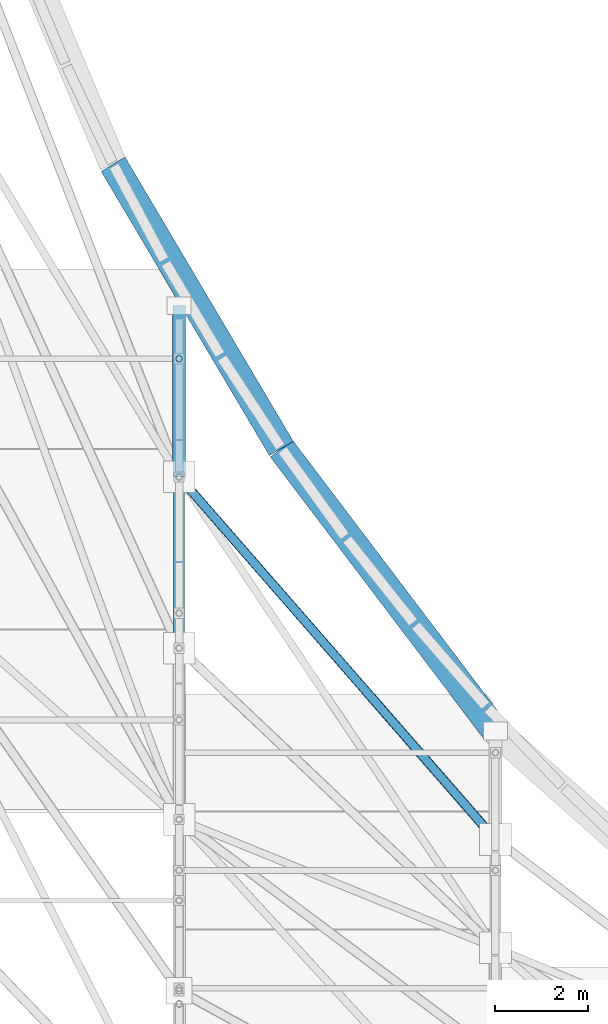
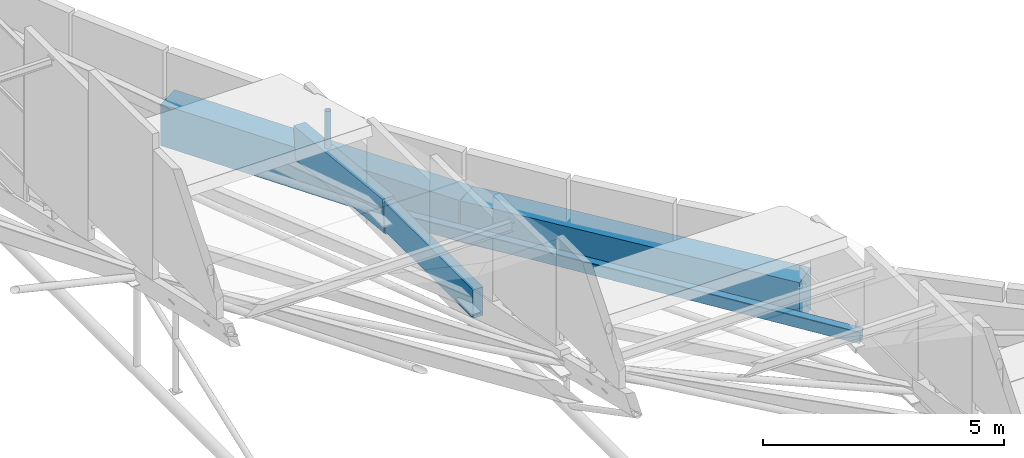
# One storey, part 36 of 188: 5 members, 2 beams.
"""IFC4 building model written with IfcOpenShell, lengths in metres."""

from ifc_helpers import new_model, si_unit, direction, frame, origin, origin_2d, place, context, subcontext, project, spatial, rectangle, hollow_rectangle, hollow_circle, extrude, material, material_profile, profile_set, type_object, element, save


model = new_model("IFC4")

# Units and contexts
model_context = context("Model", 3, precision=1e-05, world=origin(), true_north=direction((0.0, 1.0)))
body_context = subcontext(model_context, "Body", "Model", "MODEL_VIEW")
ifc_project = project(units=[si_unit("LENGTHUNIT", "METRE"), si_unit("AREAUNIT", "SQUARE_METRE"), si_unit("VOLUMEUNIT", "CUBIC_METRE"), si_unit("PLANEANGLEUNIT", "RADIAN"), si_unit("MASSUNIT", "GRAM", prefix="KILO")], contexts=[model_context])

# Site, building, storey
site_placement = place(None, origin())
site = spatial("IfcSite", under=ifc_project, at=site_placement, CompositionType="ELEMENT")
building_placement = place(site_placement, origin())
building = spatial("IfcBuilding", under=site, at=building_placement, Name="Kisaragi Civic Commons", CompositionType="ELEMENT")
storey_placement = place(building_placement, frame((0.0, 0.0, 9.60009765625)))
storey = spatial("IfcBuildingStorey", under=building, at=storey_placement, Name="L02", CompositionType="ELEMENT", Elevation=9.60009765625)

# Beams
ifc_material_1 = material(Name="Concrete Fc36", Category="concrete")
ifc_material_profile_1 = material_profile(ifc_material_1, rectangle(XDim=0.60009765625, YDim=1.050048828125, at=origin_2d()), Name="RC-600x1050", Category="concrete")
ifc_profile_set_1 = profile_set([ifc_material_profile_1], Name="Concrete Fc36")
beam_type = type_object("IfcBeamType", Name="G-06", PredefinedType="BEAM", material=ifc_profile_set_1)
beam_1_placement = place(storey_placement, frame((32.581787109375, 34.8505859375, -0.84521484375), z_axis=(0.509430030147, -0.860512082649, 0.0), x_axis=(0.860512082649, 0.509430030147, 0.0)))
element("IfcBeam", 1, at=beam_1_placement, inside=storey, type_object=beam_type, Name="L02 curved spandrel/ring girder G-06 252", PredefinedType="BEAM", context=body_context, shape_type="SweptSolid", body=[
    extrude(rectangle(XDim=0.60009765625, YDim=1.050048828125, at=origin_2d()), origin(), (0.0, 0.0, 1.0), 7.10009765625),
])
beam_2_placement = place(storey_placement, frame((36.19873046875, 28.740966796875, -0.84521484375), z_axis=(0.60390457291, -0.797056627109, 0.0), x_axis=(0.797056627109, 0.60390457291, 0.0)))
element("IfcBeam", 2, at=beam_2_placement, inside=storey, type_object=beam_type, Name="L02 curved spandrel/ring girder G-06 253", PredefinedType="BEAM", context=body_context, shape_type="SweptSolid", body=[
    extrude(rectangle(XDim=0.60009765625, YDim=1.050048828125, at=origin_2d()), origin(), (0.0, 0.0, 1.0), 7.619384765625),
])

# Members
ifc_material_2 = material(Name="Steel SN490 (SN490B)", Category="steel")
ifc_material_profile_2 = material_profile(ifc_material_2, hollow_rectangle(XDim=0.199951171875, YDim=0.300048828125, WallThickness=0.009033203125, InnerFilletRadius=0.009033203125, OuterFilletRadius=0.01806640625, at=origin_2d()), Name="STKR-300x200x9", Category="steel")
ifc_profile_set_2 = profile_set([ifc_material_profile_2], Name="Steel SN490 (SN490B)")
member_type_1 = type_object("IfcMemberType", Name="GC-02", PredefinedType="CHORD", material=ifc_profile_set_2)
member_1_placement = place(storey_placement, frame((34.0, 28.1298828125, 0.28662109375), z_axis=(0.655854996647, -0.751620704878, -0.070146556386), x_axis=(0.753476746875, 0.6574745561, 0.0)))
element("IfcMember", 3, at=member_1_placement, inside=storey, type_object=member_type_1, Name="V1 wave gridshell chord GC-02 42", PredefinedType="CHORD", context=body_context, shape_type="SweptSolid", body=[
    extrude(hollow_rectangle(XDim=0.199951171875, YDim=0.300048828125, WallThickness=0.009033203125, InnerFilletRadius=0.009033203125, OuterFilletRadius=0.01806640625, at=origin_2d()), origin(), (0.0, 0.0, 1.0), 10.3681640625),
])
ifc_material_3 = material(Name="Glulam E120-F330", Category="wood")
ifc_material_profile_3 = material_profile(ifc_material_3, rectangle(XDim=0.280029296875, YDim=0.81005859375, at=origin_2d()), Name="GL-280x810", Category="wood")
ifc_profile_set_3 = profile_set([ifc_material_profile_3], Name="Glulam E120-F330")
member_type_2 = type_object("IfcMemberType", Name="GR-01", PredefinedType="RAFTER", material=ifc_profile_set_3)
member_2_placement = place(storey_placement, frame((34.0, 28.1298828125, 0.28662109375), z_axis=(0.0, 0.995075664634, -0.09911822059), x_axis=(-1.0, 0.0, 0.0)))
element("IfcMember", 4, at=member_2_placement, inside=storey, type_object=member_type_2, Name="V1 glulam arch rib GR-01 48", PredefinedType="RAFTER", context=body_context, shape_type="SweptSolid", body=[
    extrude(rectangle(XDim=0.280029296875, YDim=0.81005859375, at=origin_2d()), origin(), (0.0, 0.0, 1.0), 3.69970703125),
])
ifc_material_profile_4 = material_profile(ifc_material_3, rectangle(XDim=0.239990234375, YDim=0.719970703125, at=origin_2d()), Name="GL-240x720", Category="wood")
ifc_profile_set_4 = profile_set([ifc_material_profile_4], Name="Glulam E120-F330")
member_type_3 = type_object("IfcMemberType", Name="GR-02", PredefinedType="RAFTER", material=ifc_profile_set_4)
member_3_placement = place(storey_placement, frame((34.0, 24.4482421875, 0.28662109375), z_axis=(0.0, 1.0, 0.0), x_axis=(-1.0, 0.0, 0.0)))
element("IfcMember", 5, at=member_3_placement, inside=storey, type_object=member_type_3, Name="V1 glulam arch rib GR-02 47", PredefinedType="RAFTER", context=body_context, shape_type="SweptSolid", body=[
    extrude(rectangle(XDim=0.239990234375, YDim=0.719970703125, at=origin_2d()), origin(), (0.0, 0.0, 1.0), 3.681640625),
])
ifc_material_profile_5 = material_profile(ifc_material_2, hollow_circle(Radius=0.06982421875, WallThickness=0.006103515625, at=origin_2d()), Name="CHS-139.8x6.0", Category="steel")
ifc_profile_set_5 = profile_set([ifc_material_profile_5], Name="Steel SN490 (SN490B)")
member_type_4 = type_object("IfcMemberType", Name="ST-H1", PredefinedType="STRUT", material=ifc_profile_set_5)
member_4_placement = place(storey_placement, frame((34.0, 30.670654296875, 0.033447265625), z_axis=(0.0, 0.0, 1.0), x_axis=(1.0, 0.0, 0.0)))
element("IfcMember", 6, at=member_4_placement, inside=storey, type_object=member_type_4, Name="V1 clerestory monitor horizontal tie strut 5.5.8", PredefinedType="STRUT", context=body_context, shape_type="SweptSolid", body=[
    extrude(hollow_circle(Radius=0.06982421875, WallThickness=0.006103515625, at=origin_2d()), origin(), (0.0, 0.0, 1.0), 1.358154296875),
])
ifc_material_profile_6 = material_profile(ifc_material_2, hollow_circle(Radius=0.1337890625, WallThickness=0.009033203125, at=origin_2d()), Name="CHS-267.4x9.0", Category="steel")
ifc_profile_set_6 = profile_set([ifc_material_profile_6], Name="Steel SN490 (SN490B)")
member_type_5 = type_object("IfcMemberType", Name="ST-T1", PredefinedType="STRUT", material=ifc_profile_set_6)
member_5_placement = place(storey_placement, frame((34.0, 28.1298828125, -0.080078125), z_axis=(0.0, 1.0, 0.0), x_axis=(-1.0, 0.0, 0.0)))
element("IfcMember", 7, at=member_5_placement, inside=storey, type_object=member_type_5, Name="V1 arch tension tie ST-T1 70", PredefinedType="STRUT", context=body_context, shape_type="SweptSolid", body=[
    extrude(hollow_circle(Radius=0.1337890625, WallThickness=0.009033203125, at=origin_2d()), origin(), (0.0, 0.0, 1.0), 3.681396484375),
])

save(model, "model.ifc")
